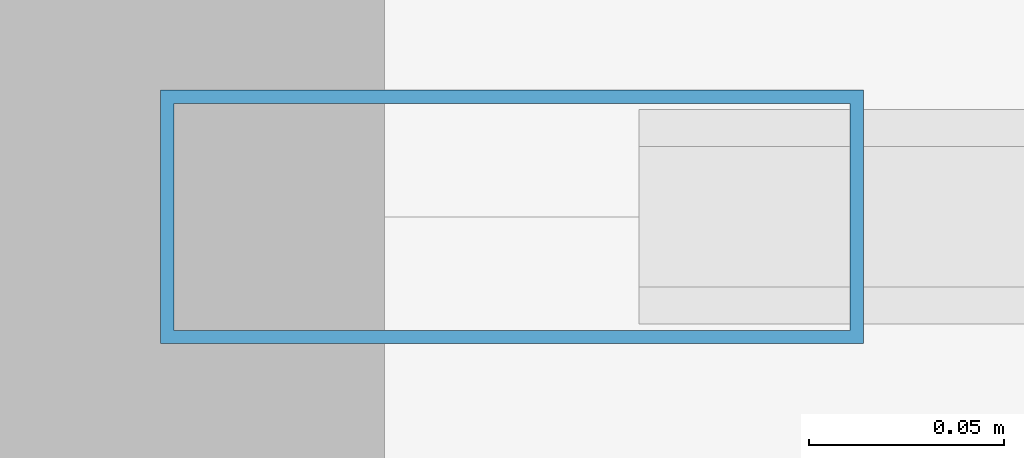
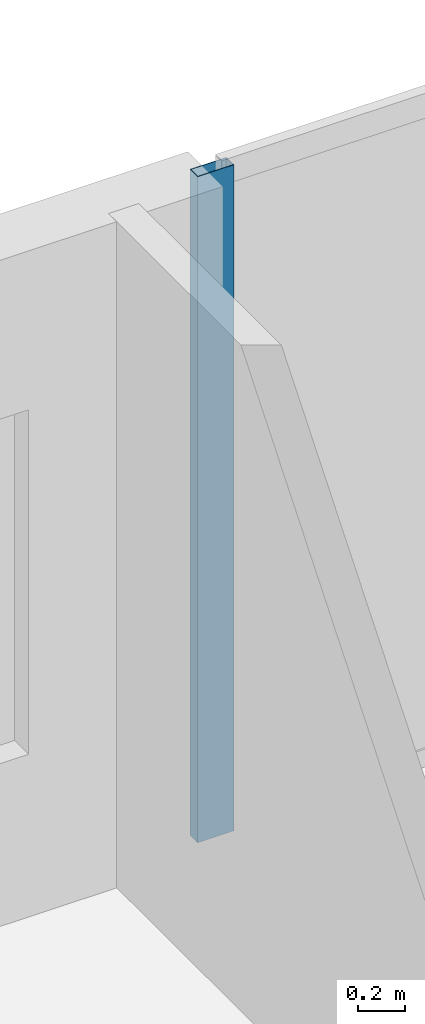
# One storey, part 15 of 28: 1 member, 1 element without a shape of its own.
"""IFC4 building model written with IfcOpenShell, lengths in metres."""

from ifc_helpers import new_model, si_unit, direction, frame, origin, origin_2d, place, context, subcontext, project, spatial, hollow_rectangle, extrude, material, layer, layer_set, material_profile, profile_set, type_object, element, aggregate, save


model = new_model("IFC4")

# Units and contexts
model_context = context("Model", 3, precision=1e-05, world=origin(), true_north=direction((0.0, 1.0)))
body_context = subcontext(model_context, "Body", "Model", "MODEL_VIEW")
ifc_project = project(units=[si_unit("LENGTHUNIT", "METRE"), si_unit("AREAUNIT", "SQUARE_METRE"), si_unit("VOLUMEUNIT", "CUBIC_METRE"), si_unit("PLANEANGLEUNIT", "RADIAN"), si_unit("MASSUNIT", "GRAM", prefix="KILO")], contexts=[model_context])

# Site, building, storey
site_placement = place(None, origin())
site = spatial("IfcSite", under=ifc_project, at=site_placement, CompositionType="ELEMENT")
building_placement = place(site_placement, origin())
building = spatial("IfcBuilding", under=site, at=building_placement, Name="Zuhayl Quay Hotel", CompositionType="ELEMENT")
storey_placement = place(building_placement, frame((0.0, 0.0, 239.64990234375)))
storey = spatial("IfcBuildingStorey", under=building, at=storey_placement, Name="L60", CompositionType="ELEMENT", Elevation=239.64990234375)

# Curtain wall, member
ifc_material_1 = material(Name="Anodised Aluminium 6063-T6", Category="aluminium")
ifc_layer = layer(ifc_material_1, 0.169921875, Name="Anodised Aluminium 6063-T6", Category="aluminium")
ifc_layer_set = layer_set([ifc_layer], Name="Anodised Aluminium 6063-T6")
curtain_wall_type = type_object("IfcCurtainWallType", Name="CW_SYS_Z4", PredefinedType="USERDEFINED", material=ifc_layer_set)
curtain_wall_placement = place(storey_placement, origin())
curtain_wall = element("IfcCurtainWall", 1, at=curtain_wall_placement, inside=storey, type_object=curtain_wall_type, Name="L60 Curtain Wall ENV_L60_N_CW1", ObjectType="UNITISED CURTAIN WALL", PredefinedType="USERDEFINED")
ifc_material_2 = material(Name="Black-anodised aluminium 6063-T6", Category="aluminium")
ifc_material_profile = material_profile(ifc_material_2, hollow_rectangle(XDim=0.06494140625, YDim=0.179931640625, WallThickness=0.00341796875, at=origin_2d()), Name="ALU180X65")
ifc_profile_set = profile_set([ifc_material_profile], Name="Black-anodised aluminium 6063-T6")
member_type = type_object("IfcMemberType", Name="MB_CW_MUL_180", PredefinedType="MULLION", material=ifc_profile_set)
member_placement = place(storey_placement, frame((8.282470703125, 39.0, 0.0), z_axis=(0.0, 0.0, 1.0), x_axis=(0.0, 1.0, 0.0)))
member = element("IfcMember", 2, at=member_placement, type_object=member_type, Name="CW-Z4 mullion 1", PredefinedType="MULLION", context=body_context, shape_type="SweptSolid", body=[
    extrude(hollow_rectangle(XDim=0.06494140625, YDim=0.179931640625, WallThickness=0.00341796875, at=origin_2d()), origin(), (0.0, 0.0, 1.0), 3.47998046875),
])
aggregate(curtain_wall, [member])

save(model, "model.ifc")
